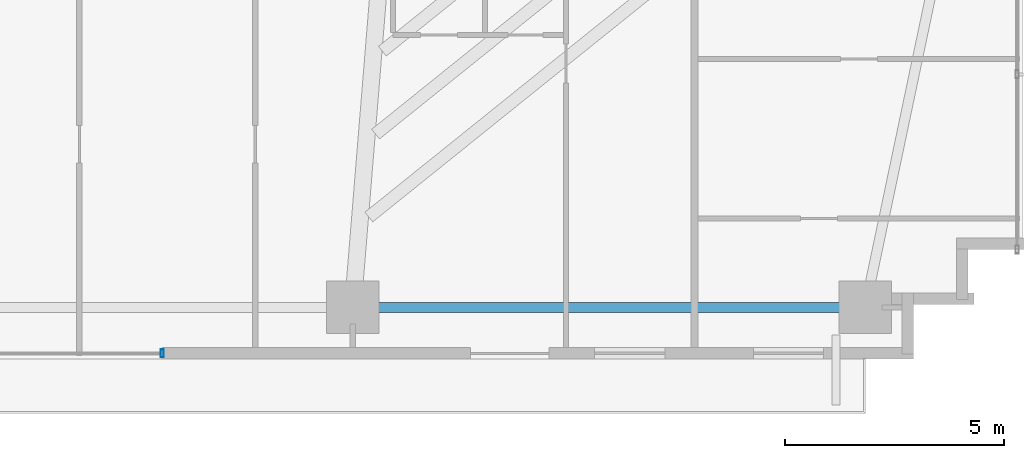
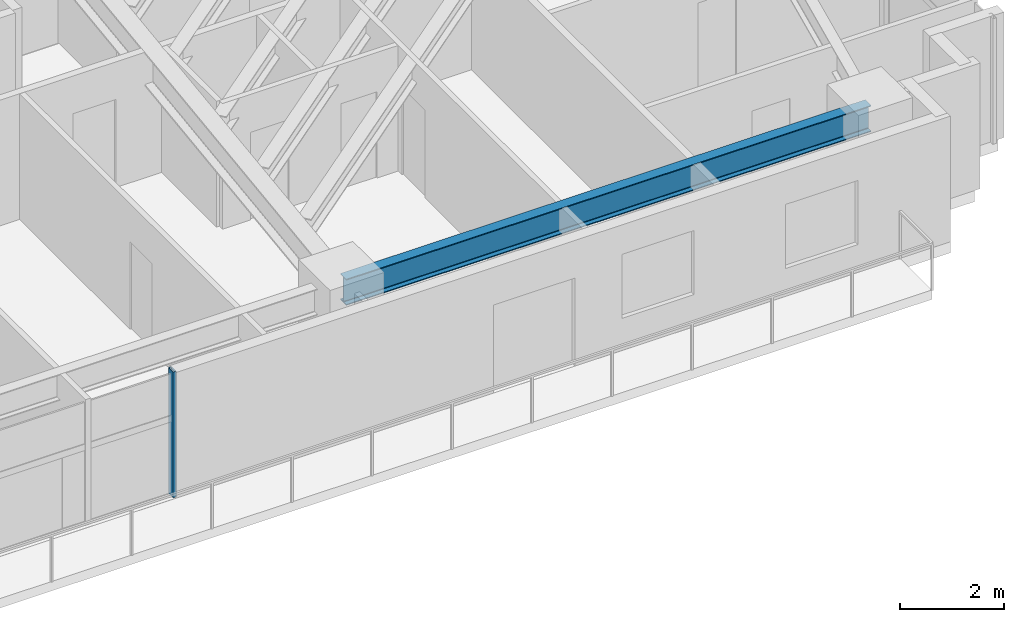
# One storey, part 12 of 25: 1 beam, 1 member, 1 element without a shape of its own.
"""IFC4 building model written with IfcOpenShell, lengths in metres."""

import ifcopenshell
import ifcopenshell.guid

model = None  # the IFC model being written
_history = None  # IfcOwnerHistory: only IFC2X3 demands one
_inside = {}  # id of a spatial element -> (the spatial element, [elements in it])
_under = {}  # id of a project, library or spatial element -> (it, [spatial elements below it])
_declared = {}  # id of a project -> (the project, [libraries it declares])
_typed = {}  # id of a type object -> (the type object, [elements of that type])
_made_of = {}  # id of a material, layer set ... -> (it, [elements and type objects made of it])


def new_model(schema):
    """Start an empty IFC model of exactly this schema.

    Asked for "IFC4X3", IfcOpenShell would pick the latest addendum, in which some entities
    have other attributes; the version numbers below select the first issue.
    IFC2X3 requires an IfcOwnerHistory on every rooted entity: one is made here for all.
    """
    global model, _history
    if schema == "IFC4X3":
        model = ifcopenshell.file(schema_version=(4, 3, 0, 0))
    else:
        model = ifcopenshell.file(schema=schema)
    _inside.clear()
    _under.clear()
    _declared.clear()
    _typed.clear()
    _made_of.clear()
    _history = None
    if model.schema == "IFC2X3":
        org = make("IfcOrganization", Name="unknown")
        user = make(
            "IfcPersonAndOrganization",
            ThePerson=make("IfcPerson", FamilyName="unknown"),
            TheOrganization=org,
        )
        app = make(
            "IfcApplication",
            ApplicationDeveloper=org,
            Version="unknown",
            ApplicationFullName="unknown",
            ApplicationIdentifier="unknown",
        )
        _history = make(
            "IfcOwnerHistory",
            OwningUser=user,
            OwningApplication=app,
            ChangeAction="ADDED",
            CreationDate=0,
        )
    return model


def make(cls, **values):
    """One entity of the class cls with the attributes given. An attribute that is None is left unset."""
    return model.create_entity(
        cls, **{name: value for name, value in values.items() if value is not None}
    )


def rooted(cls, **values):
    """An entity with a GlobalId (a new one), such as an element, a storey or a relation."""
    return make(cls, GlobalId=ifcopenshell.guid.new(), OwnerHistory=_history, **values)


def si_unit(unit_type, name, prefix=None):
    """IfcSIUnit, for example si_unit("LENGTHUNIT", "METRE", prefix="MILLI")."""
    return make("IfcSIUnit", UnitType=unit_type, Prefix=prefix, Name=name)


def assignment(units):
    """IfcUnitAssignment: the units of a project."""
    return None if units is None else make("IfcUnitAssignment", Units=units)


def point(xyz):
    """IfcCartesianPoint."""
    return None if xyz is None else make("IfcCartesianPoint", Coordinates=xyz)


def direction(xyz):
    """IfcDirection."""
    return None if xyz is None else make("IfcDirection", DirectionRatios=xyz)


def frame(location, z_axis=None, x_axis=None):
    """IfcAxis2Placement3D, a coordinate frame: its origin and axes. An axis left out is left unset."""
    return make(
        "IfcAxis2Placement3D",
        Location=point(location),
        Axis=direction(z_axis),
        RefDirection=direction(x_axis),
    )


def frame_2d(location, x_axis=None):
    """IfcAxis2Placement2D, a coordinate frame in the plane: its origin and x axis."""
    return make(
        "IfcAxis2Placement2D", Location=point(location), RefDirection=direction(x_axis)
    )


def origin():
    """The frame at (0, 0, 0) with its axes left unset."""
    return frame((0.0, 0.0, 0.0))


def origin_2d():
    """The frame at (0, 0) in the plane with its x axis left unset."""
    return frame_2d((0.0, 0.0))


def place(relative_to, where):
    """IfcLocalPlacement: puts the frame where relative to a parent placement (None: the world)."""
    return make(
        "IfcLocalPlacement", PlacementRelTo=relative_to, RelativePlacement=where
    )


def context(
    kind, dimensions, precision=None, world=None, true_north=None, identifier=None
):
    """IfcGeometricRepresentationContext, for example the 3D "Model" context."""
    return make(
        "IfcGeometricRepresentationContext",
        ContextIdentifier=identifier,
        ContextType=kind,
        CoordinateSpaceDimension=dimensions,
        Precision=precision,
        WorldCoordinateSystem=world,
        TrueNorth=true_north,
    )


def subcontext(parent, identifier, kind, view, scale=None):
    """IfcGeometricRepresentationSubContext, for example "Body" below "Model"."""
    return make(
        "IfcGeometricRepresentationSubContext",
        ContextIdentifier=identifier,
        ContextType=kind,
        ParentContext=parent,
        TargetScale=scale,
        TargetView=view,
    )


def project(units=None, contexts=None):
    """IfcProject with its units and contexts."""
    return rooted(
        "IfcProject",
        Name="project",
        RepresentationContexts=contexts,
        UnitsInContext=assignment(units),
    )


def spatial(cls, under=None, at=None, **own):
    """A site, building, storey or space (cls), placed at a placement, below another one or the project."""
    s = rooted(cls, ObjectPlacement=at, **own)
    if under is not None:
        _under.setdefault(under.id(), (under, []))[1].append(s)
    return s


def profile(cls, at=None, kind="AREA", **sizes):
    """A parametric profile (cls). Its sizes go by their IFC names, for example OverallWidth=200.0."""
    return make(cls, ProfileType=kind, Position=at, **sizes)


def hollow_rectangle(**sizes):
    """IfcRectangleHollowProfileDef."""
    return profile("IfcRectangleHollowProfileDef", **sizes)


def i_section(**sizes):
    """IfcIShapeProfileDef."""
    return profile("IfcIShapeProfileDef", **sizes)


def extrude(swept, where, along, depth):
    """IfcExtrudedAreaSolid: the profile swept, set in the frame where, extruded along a direction by depth."""
    return make(
        "IfcExtrudedAreaSolid",
        SweptArea=swept,
        Position=where,
        ExtrudedDirection=direction(along),
        Depth=depth,
    )


def shape(context_of_items, identifier, shape_type, items):
    """IfcShapeRepresentation: the items that make up one representation, for example the "Body"."""
    return make(
        "IfcShapeRepresentation",
        ContextOfItems=context_of_items,
        RepresentationIdentifier=identifier,
        RepresentationType=shape_type,
        Items=items,
    )


def source(mapping_origin, context_of_items, identifier, shape_type, items):
    """IfcRepresentationMap: a shape defined once, which mapped items show again and again."""
    return make(
        "IfcRepresentationMap",
        MappingOrigin=mapping_origin,
        MappedRepresentation=shape(context_of_items, identifier, shape_type, items),
    )


def transform(
    local_origin,
    x_axis=None,
    y_axis=None,
    z_axis=None,
    scale=None,
    scale2=None,
    scale3=None,
    uniform=True,
):
    """IfcCartesianTransformationOperator3D, or its non-uniform kind. x_axis, y_axis, z_axis: its Axis1, 2, 3."""
    if uniform:
        return make(
            "IfcCartesianTransformationOperator3D",
            Axis1=direction(x_axis),
            Axis2=direction(y_axis),
            LocalOrigin=point(local_origin),
            Scale=scale,
            Axis3=direction(z_axis),
        )
    return make(
        "IfcCartesianTransformationOperator3DnonUniform",
        Axis1=direction(x_axis),
        Axis2=direction(y_axis),
        LocalOrigin=point(local_origin),
        Scale=scale,
        Axis3=direction(z_axis),
        Scale2=scale2,
        Scale3=scale3,
    )


def mapped(mapping_source, mapping_target):
    """IfcMappedItem: shows the shape of a source again, moved by a transform."""
    return make(
        "IfcMappedItem", MappingSource=mapping_source, MappingTarget=mapping_target
    )


def material(Name=None, Category=None):
    """IfcMaterial."""
    return make("IfcMaterial", Name=Name, Category=Category)


def material_profile(
    of_material, cross_section, Name=None, Category=None, Priority=None
):
    """IfcMaterialProfile: a cross section and its material."""
    return make(
        "IfcMaterialProfile",
        Name=Name,
        Material=of_material,
        Profile=cross_section,
        Priority=Priority,
        Category=Category,
    )


def profile_set(profiles, Name=None, composite=None):
    """IfcMaterialProfileSet."""
    return make(
        "IfcMaterialProfileSet",
        Name=Name,
        MaterialProfiles=profiles,
        CompositeProfile=composite,
    )


def made_of(thing, what):
    """Note that an element or type object is made of a material, layer set ...; save() writes the relation."""
    if what is not None:
        _made_of.setdefault(what.id(), (what, []))[1].append(thing)
    return thing


def type_object(cls, material=None, **own):
    """A type object (cls), such as IfcWallType, which elements share."""
    return made_of(rooted(cls, **own), material)


def type_shapes(of_type, sources):
    """Give a type object the sources (RepresentationMaps) that its elements show as mapped items."""
    of_type.RepresentationMaps = sources


def element(
    cls,
    number,
    at=None,
    inside=None,
    cuts=None,
    type_object=None,
    material=None,
    context=None,
    identifier="Body",
    shape_type=None,
    held_by="IfcProductDefinitionShape",
    body=None,
    shapes=None,
    **own,
):
    """One element of the class cls, such as IfcWall. Its Tag is "e" and its number.

    at: its placement. inside: the storey or other place that contains it. cuts: it is an
    opening in that element (IfcRelVoidsElement). A single representation is given by context,
    identifier, shape_type and body (its items); several are given by shapes. held_by: the class
    of the entity that holds the representations. save() writes the other relations.
    """
    e = rooted(cls, Tag="e%d" % number, ObjectPlacement=at, **own)
    if body is not None:
        shapes = [shape(context, identifier, shape_type, body)]
    if shapes is not None:
        e.Representation = make(held_by, Representations=shapes)
    if inside is not None:
        _inside.setdefault(inside.id(), (inside, []))[1].append(e)
    if cuts is not None:
        rooted(
            "IfcRelVoidsElement", RelatingBuildingElement=cuts, RelatedOpeningElement=e
        )
    if type_object is not None:
        _typed.setdefault(type_object.id(), (type_object, []))[1].append(e)
    return made_of(e, material)


def aggregate(whole, parts):
    """IfcRelAggregates: a whole, such as a stair, and the parts it consists of."""
    return rooted("IfcRelAggregates", RelatingObject=whole, RelatedObjects=parts)


def save(model, path):
    """Write the relations noted so far, then the file.

    IfcRelAggregates (storeys below a building ...), IfcRelContainedInSpatialStructure (elements
    in a storey), IfcRelDefinesByType, IfcRelAssociatesMaterial and IfcRelDeclares: one each for
    every whole, place, type object, material and project.
    """
    for whole, parts in _under.values():
        aggregate(whole, parts)
    for where, things in _inside.values():
        rooted(
            "IfcRelContainedInSpatialStructure",
            RelatedElements=things,
            RelatingStructure=where,
        )
    for kind, things in _typed.values():
        rooted("IfcRelDefinesByType", RelatedObjects=things, RelatingType=kind)
    for what, things in _made_of.values():
        rooted("IfcRelAssociatesMaterial", RelatedObjects=things, RelatingMaterial=what)
    for by, libraries in _declared.values():
        rooted("IfcRelDeclares", RelatingContext=by, RelatedDefinitions=libraries)
    model.write(path)


model = new_model("IFC4")

# Units and contexts
model_context = context("Model", 3, precision=1e-05, world=origin(), true_north=direction((0.0, 1.0)))
body_context = subcontext(model_context, "Body", "Model", "MODEL_VIEW")
ifc_project = project(units=[si_unit("LENGTHUNIT", "METRE"), si_unit("AREAUNIT", "SQUARE_METRE"), si_unit("VOLUMEUNIT", "CUBIC_METRE"), si_unit("PLANEANGLEUNIT", "RADIAN"), si_unit("MASSUNIT", "GRAM", prefix="KILO")], contexts=[model_context])

# Site, building, storey
site_placement = place(None, origin())
site = spatial("IfcSite", under=ifc_project, at=site_placement, CompositionType="ELEMENT")
building_placement = place(site_placement, origin())
building = spatial("IfcBuilding", under=site, at=building_placement, Name="Astriad Promenade Condominiums", CompositionType="ELEMENT")
storey_placement = place(building_placement, frame((0.0, 0.0, 26.199951171875)))
storey = spatial("IfcBuildingStorey", under=building, at=storey_placement, Name="L06", CompositionType="ELEMENT", Elevation=26.199951171875)

# Beam
ifc_material_1 = material(Name="Steel ASTM A992 Grade 50", Category="steel")
ifc_material_profile_1 = material_profile(ifc_material_1, i_section(OverallWidth=0.22900390625, OverallDepth=0.612060546875, WebThickness=0.011962890625, FlangeThickness=0.01953125, FilletRadius=0.017822265625, at=origin_2d()), Name="W24X84")
ifc_profile_set_1 = profile_set([ifc_material_profile_1], Name="Steel ASTM A992 Grade 50")
beam_type = type_object("IfcBeamType", Name="STEEL SPANDREL BEAM W24X84", PredefinedType="SPANDREL", material=ifc_profile_set_1)
shared_shape_1 = source(origin(), body_context, "Body", "SweptSolid", [
    extrude(i_section(OverallWidth=0.22900390625, OverallDepth=0.612060546875, WebThickness=0.011962890625, FlangeThickness=0.01953125, FilletRadius=0.017822265625, at=origin_2d()), origin(), (0.0, 0.0, 1.0), 11.619873046875),
])
type_shapes(beam_type, [shared_shape_1])
beam_placement = place(storey_placement, frame((44.5400390625, 3.8798828125, 2.634033203125), z_axis=(1.0, 0.0, 0.0), x_axis=(0.0, 1.0, 0.0)))
element("IfcBeam", 1, at=beam_placement, inside=storey, type_object=beam_type, Name="Perimeter Spandrel Beam SP-S4-L06", PredefinedType="SPANDREL", context=body_context, shape_type="MappedRepresentation", body=[
    mapped(shared_shape_1, transform((0.0, 0.0, 0.0), scale=1.0)),
])

# Curtain wall, member
ifc_material_2 = material(Name="Anodised aluminium Black Dark Glass Unitised", Category="aluminium")
curtain_wall_type = type_object("IfcCurtainWallType", Name="CW-B1-DARK", PredefinedType="USERDEFINED", material=ifc_material_2)
curtain_wall_placement = place(storey_placement, origin())
curtain_wall = element("IfcCurtainWall", 2, at=curtain_wall_placement, inside=storey, type_object=curtain_wall_type, Name="CW-L06-S", ObjectType="UNITISED_CURTAIN_WALL", PredefinedType="USERDEFINED")
ifc_material_3 = material(Name="Anodised aluminium 6063-T6 Black", Category="aluminium")
ifc_material_profile_2 = material_profile(ifc_material_3, hollow_rectangle(XDim=0.074951171875, YDim=0.18505859375, WallThickness=0.00439453125, at=origin_2d()), Name="ALU-MUL-75X185")
ifc_profile_set_2 = profile_set([ifc_material_profile_2], Name="Anodised aluminium 6063-T6 Black")
member_type = type_object("IfcMemberType", Name="MUL-ALU-MUL-75X185", PredefinedType="MULLION", material=ifc_profile_set_2)
shared_shape_2 = source(origin(), body_context, "Body", "SweptSolid", [
    extrude(hollow_rectangle(XDim=0.074951171875, YDim=0.18505859375, WallThickness=0.00439453125, at=origin_2d()), origin(), (0.0, 0.0, 1.0), 2.93994140625),
])
type_shapes(member_type, [shared_shape_2])
member_placement = place(storey_placement, frame((40.14990234375, 2.830078125, 0.0), z_axis=(0.0, 0.0, 1.0), x_axis=(1.0, 0.0, 0.0)))
member = element("IfcMember", 3, at=member_placement, type_object=member_type, Name="CW-L06-S-MUL-00", PredefinedType="MULLION", context=body_context, shape_type="MappedRepresentation", body=[
    mapped(shared_shape_2, transform((0.0, 0.0, 0.0), scale=1.0)),
])
aggregate(curtain_wall, [member])

save(model, "model.ifc")
